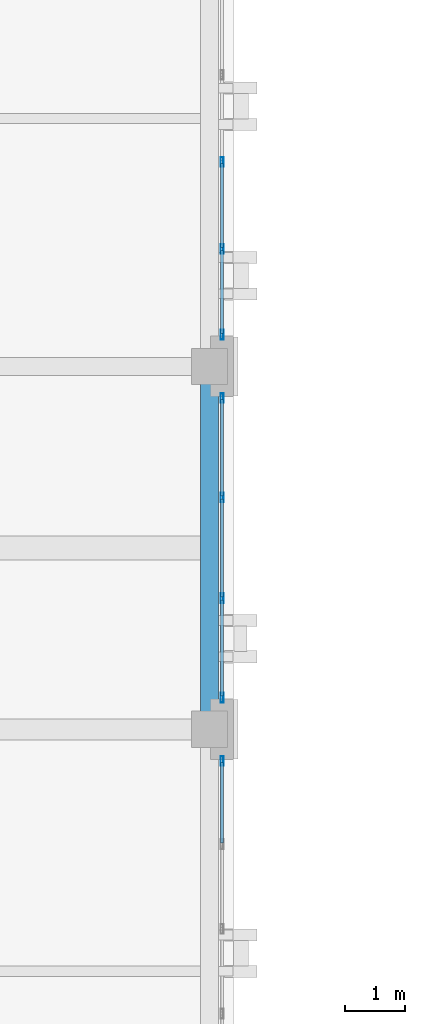
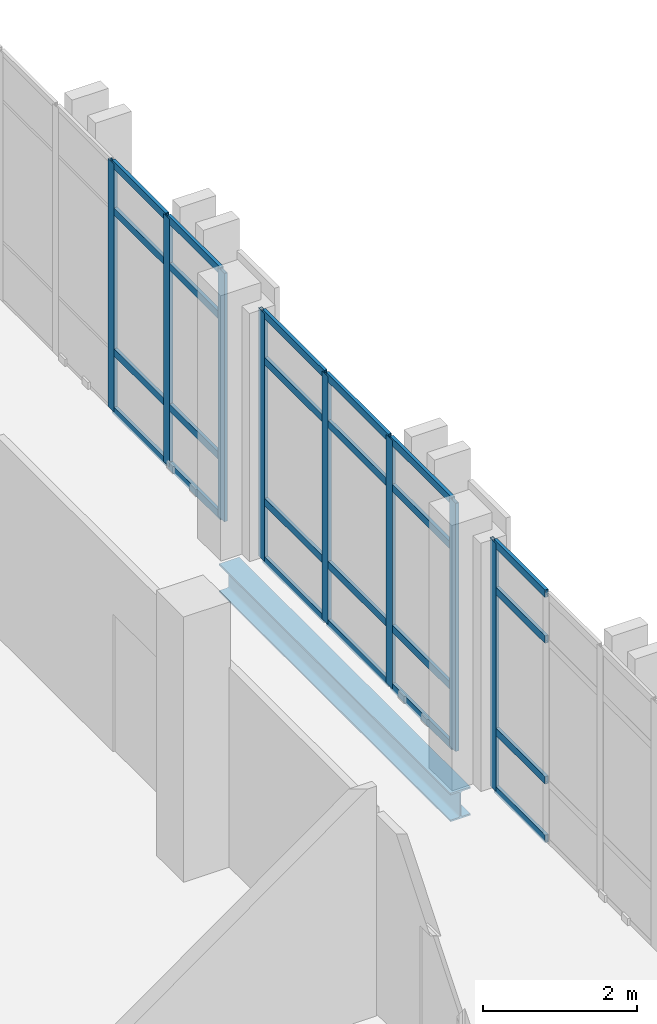
# One storey, part 34 of 90: 32 members, 1 beam, 3 elements without a shape of their own.
"""IFC4 building model written with IfcOpenShell, lengths in metres."""

from ifc_helpers import new_model, si_unit, direction, frame, origin, origin_2d, place, context, subcontext, project, spatial, hollow_rectangle, i_section, extrude, material, layer, layer_set, material_profile, profile_set, type_object, element, aggregate, save


model = new_model("IFC4")

# Units and contexts
model_context = context("Model", 3, precision=1e-05, world=origin(), true_north=direction((0.0, 1.0)))
body_context = subcontext(model_context, "Body", "Model", "MODEL_VIEW")
ifc_project = project(units=[si_unit("LENGTHUNIT", "METRE"), si_unit("AREAUNIT", "SQUARE_METRE"), si_unit("VOLUMEUNIT", "CUBIC_METRE"), si_unit("PLANEANGLEUNIT", "RADIAN"), si_unit("MASSUNIT", "GRAM", prefix="KILO")], contexts=[model_context])

# Site, building, storey
site_placement = place(None, origin())
site = spatial("IfcSite", under=ifc_project, at=site_placement, CompositionType="ELEMENT")
building_placement = place(site_placement, origin())
building = spatial("IfcBuilding", under=site, at=building_placement, Name="Qalavern Law Courts", CompositionType="ELEMENT")
storey_placement = place(building_placement, frame((0.0, 0.0, 22.800048828125)))
storey = spatial("IfcBuildingStorey", under=building, at=storey_placement, Name="L05", CompositionType="ELEMENT", Elevation=22.800048828125)

# Curtain wall, member
ifc_material_1 = material(Name="Anodised aluminium and insulated glazing", Category="aluminium")
ifc_layer = layer(ifc_material_1, 0.159912109375)
ifc_layer_set = layer_set([ifc_layer], Name="Anodised aluminium and insulated glazing")
curtain_wall_type = type_object("IfcCurtainWallType", Name="ENV-CW-CHAMB", PredefinedType="USERDEFINED", material=ifc_layer_set)
curtain_wall_1_placement = place(storey_placement, origin())
curtain_wall_1 = element("IfcCurtainWall", 1, at=curtain_wall_1_placement, inside=storey, type_object=curtain_wall_type, Name="V3 unitised curtain wall L05 east 4", ObjectType="UNITISED CURTAIN WALL", PredefinedType="USERDEFINED")
ifc_material_2 = material(Name="Anodised aluminium", Category="aluminium")
ifc_material_profile_1 = material_profile(ifc_material_2, hollow_rectangle(XDim=0.048095703125, YDim=0.159912109375, WallThickness=0.00390625, at=origin_2d()), Name="ALU MULLION 48x160")
ifc_profile_set_1 = profile_set([ifc_material_profile_1], Name="Anodised aluminium")
member_type_1 = type_object("IfcMemberType", Name="ENV-CWM-48x160", PredefinedType="MULLION", material=ifc_profile_set_1)
member_1_placement = place(storey_placement, frame((18.607421875, 72.8759765625, 0.0), z_axis=(0.0, 0.0, 1.0), x_axis=(-1.0, 0.0, 0.0)))
member_1 = element("IfcMember", 2, at=member_1_placement, type_object=member_type_1, Name="CW-04 mullion 6", PredefinedType="MULLION", context=body_context, shape_type="SweptSolid", body=[
    extrude(hollow_rectangle(XDim=0.048095703125, YDim=0.159912109375, WallThickness=0.00390625, at=origin_2d()), origin(), (0.0, 0.0, 1.0), 3.929931640625),
])

# Curtain wall, members
curtain_wall_2_placement = place(storey_placement, origin())
curtain_wall_2 = element("IfcCurtainWall", 3, at=curtain_wall_2_placement, inside=storey, type_object=curtain_wall_type, Name="V3 unitised curtain wall L05 east 5", ObjectType="UNITISED CURTAIN WALL", PredefinedType="USERDEFINED")
member_2_placement = place(storey_placement, frame((18.607421875, 73.924072265625, 0.0), z_axis=(0.0, 0.0, 1.0), x_axis=(-1.0, 0.0, 0.0)))
member_2 = element("IfcMember", 4, at=member_2_placement, type_object=member_type_1, Name="CW-04 mullion 1", PredefinedType="MULLION", context=body_context, shape_type="SweptSolid", body=[
    extrude(hollow_rectangle(XDim=0.048095703125, YDim=0.159912109375, WallThickness=0.00390625, at=origin_2d()), origin(), (0.0, 0.0, 1.0), 3.929931640625),
])
member_3_placement = place(storey_placement, frame((18.607421875, 75.566650390625, 0.0), z_axis=(0.0, 0.0, 1.0), x_axis=(-1.0, 0.0, 0.0)))
member_3 = element("IfcMember", 5, at=member_3_placement, type_object=member_type_1, Name="CW-04 mullion 2", PredefinedType="MULLION", context=body_context, shape_type="SweptSolid", body=[
    extrude(hollow_rectangle(XDim=0.048095703125, YDim=0.159912109375, WallThickness=0.00390625, at=origin_2d()), origin(), (0.0, 0.0, 1.0), 3.929931640625),
])
member_4_placement = place(storey_placement, frame((18.607421875, 77.2333984375, 0.0), z_axis=(0.0, 0.0, 1.0), x_axis=(-1.0, 0.0, 0.0)))
member_4 = element("IfcMember", 6, at=member_4_placement, type_object=member_type_1, Name="CW-04 mullion 3", PredefinedType="MULLION", context=body_context, shape_type="SweptSolid", body=[
    extrude(hollow_rectangle(XDim=0.048095703125, YDim=0.159912109375, WallThickness=0.00390625, at=origin_2d()), origin(), (0.0, 0.0, 1.0), 3.929931640625),
])
member_5_placement = place(storey_placement, frame((18.607421875, 78.8759765625, 0.0), z_axis=(0.0, 0.0, 1.0), x_axis=(-1.0, 0.0, 0.0)))
member_5 = element("IfcMember", 7, at=member_5_placement, type_object=member_type_1, Name="CW-04 mullion 4", PredefinedType="MULLION", context=body_context, shape_type="SweptSolid", body=[
    extrude(hollow_rectangle(XDim=0.048095703125, YDim=0.159912109375, WallThickness=0.00390625, at=origin_2d()), origin(), (0.0, 0.0, 1.0), 3.929931640625),
])

curtain_wall_3_placement = place(storey_placement, origin())
curtain_wall_3 = element("IfcCurtainWall", 8, at=curtain_wall_3_placement, inside=storey, type_object=curtain_wall_type, Name="V3 unitised curtain wall L05 east 6", ObjectType="UNITISED CURTAIN WALL", PredefinedType="USERDEFINED")
member_6_placement = place(storey_placement, frame((18.607421875, 79.924072265625, 0.0), z_axis=(0.0, 0.0, 1.0), x_axis=(-1.0, 0.0, 0.0)))
member_6 = element("IfcMember", 9, at=member_6_placement, type_object=member_type_1, Name="CW-04 mullion 1", PredefinedType="MULLION", context=body_context, shape_type="SweptSolid", body=[
    extrude(hollow_rectangle(XDim=0.048095703125, YDim=0.159912109375, WallThickness=0.00390625, at=origin_2d()), origin(), (0.0, 0.0, 1.0), 3.929931640625),
])
member_7_placement = place(storey_placement, frame((18.607421875, 81.340087890625, 0.0), z_axis=(0.0, 0.0, 1.0), x_axis=(-1.0, 0.0, 0.0)))
member_7 = element("IfcMember", 10, at=member_7_placement, type_object=member_type_1, Name="CW-04 mullion 2", PredefinedType="MULLION", context=body_context, shape_type="SweptSolid", body=[
    extrude(hollow_rectangle(XDim=0.048095703125, YDim=0.159912109375, WallThickness=0.00390625, at=origin_2d()), origin(), (0.0, 0.0, 1.0), 3.929931640625),
])
member_8_placement = place(storey_placement, frame((18.607421875, 82.780029296875, 0.0), z_axis=(0.0, 0.0, 1.0), x_axis=(-1.0, 0.0, 0.0)))
member_8 = element("IfcMember", 11, at=member_8_placement, type_object=member_type_1, Name="CW-04 mullion 3", PredefinedType="MULLION", context=body_context, shape_type="SweptSolid", body=[
    extrude(hollow_rectangle(XDim=0.048095703125, YDim=0.159912109375, WallThickness=0.00390625, at=origin_2d()), origin(), (0.0, 0.0, 1.0), 3.929931640625),
])

# Member
ifc_material_profile_2 = material_profile(ifc_material_2, hollow_rectangle(XDim=0.048095703125, YDim=0.1201171875, WallThickness=0.00390625, at=origin_2d()), Name="ALU TRANSOM 48x120")
ifc_profile_set_2 = profile_set([ifc_material_profile_2], Name="Anodised aluminium")
member_type_2 = type_object("IfcMemberType", Name="ENV-CWT-48x120", PredefinedType="USERDEFINED", material=ifc_profile_set_2)
member_9_placement = place(storey_placement, frame((18.607421875, 71.52392578125, 0.02392578125), z_axis=(0.0, 1.0, 0.0), x_axis=(-1.0, 0.0, 0.0)))
member_9 = element("IfcMember", 12, at=member_9_placement, type_object=member_type_2, Name="CW-04 transom 5.1", ObjectType="TRANSOM", PredefinedType="USERDEFINED", context=body_context, shape_type="SweptSolid", body=[
    extrude(hollow_rectangle(XDim=0.048095703125, YDim=0.1201171875, WallThickness=0.00390625, at=origin_2d()), origin(), (0.0, 0.0, 1.0), 1.328125),
])

member_10_placement = place(storey_placement, frame((18.607421875, 71.52392578125, 0.949951171875), z_axis=(0.0, 1.0, 0.0), x_axis=(-1.0, 0.0, 0.0)))
member_10 = element("IfcMember", 13, at=member_10_placement, type_object=member_type_2, Name="CW-04 transom 5.2", ObjectType="TRANSOM", PredefinedType="USERDEFINED", context=body_context, shape_type="SweptSolid", body=[
    extrude(hollow_rectangle(XDim=0.048095703125, YDim=0.1201171875, WallThickness=0.00390625, at=origin_2d()), origin(), (0.0, 0.0, 1.0), 1.328125),
])

member_11_placement = place(storey_placement, frame((18.607421875, 71.52392578125, 3.179931640625), z_axis=(0.0, 1.0, 0.0), x_axis=(-1.0, 0.0, 0.0)))
member_11 = element("IfcMember", 14, at=member_11_placement, type_object=member_type_2, Name="CW-04 transom 5.3", ObjectType="TRANSOM", PredefinedType="USERDEFINED", context=body_context, shape_type="SweptSolid", body=[
    extrude(hollow_rectangle(XDim=0.048095703125, YDim=0.1201171875, WallThickness=0.00390625, at=origin_2d()), origin(), (0.0, 0.0, 1.0), 1.328125),
])

member_12_placement = place(storey_placement, frame((18.607421875, 71.52392578125, 3.906005859375), z_axis=(0.0, 1.0, 0.0), x_axis=(-1.0, 0.0, 0.0)))
member_12 = element("IfcMember", 15, at=member_12_placement, type_object=member_type_2, Name="CW-04 transom 5.4", ObjectType="TRANSOM", PredefinedType="USERDEFINED", context=body_context, shape_type="SweptSolid", body=[
    extrude(hollow_rectangle(XDim=0.048095703125, YDim=0.1201171875, WallThickness=0.00390625, at=origin_2d()), origin(), (0.0, 0.0, 1.0), 1.328125),
])

aggregate(curtain_wall_1, [member_1, member_9, member_10, member_11, member_12])

member_13_placement = place(storey_placement, frame((18.607421875, 73.947998046875, 0.02392578125), z_axis=(0.0, 1.0, 0.0), x_axis=(-1.0, 0.0, 0.0)))
member_13 = element("IfcMember", 16, at=member_13_placement, type_object=member_type_2, Name="CW-04 transom 1.1", ObjectType="TRANSOM", PredefinedType="USERDEFINED", context=body_context, shape_type="SweptSolid", body=[
    extrude(hollow_rectangle(XDim=0.048095703125, YDim=0.1201171875, WallThickness=0.00390625, at=origin_2d()), origin(), (0.0, 0.0, 1.0), 1.5947265625),
])

member_14_placement = place(storey_placement, frame((18.607421875, 73.947998046875, 0.949951171875), z_axis=(0.0, 1.0, 0.0), x_axis=(-1.0, 0.0, 0.0)))
member_14 = element("IfcMember", 17, at=member_14_placement, type_object=member_type_2, Name="CW-04 transom 1.2", ObjectType="TRANSOM", PredefinedType="USERDEFINED", context=body_context, shape_type="SweptSolid", body=[
    extrude(hollow_rectangle(XDim=0.048095703125, YDim=0.1201171875, WallThickness=0.00390625, at=origin_2d()), origin(), (0.0, 0.0, 1.0), 1.5947265625),
])

member_15_placement = place(storey_placement, frame((18.607421875, 73.947998046875, 3.179931640625), z_axis=(0.0, 1.0, 0.0), x_axis=(-1.0, 0.0, 0.0)))
member_15 = element("IfcMember", 18, at=member_15_placement, type_object=member_type_2, Name="CW-04 transom 1.3", ObjectType="TRANSOM", PredefinedType="USERDEFINED", context=body_context, shape_type="SweptSolid", body=[
    extrude(hollow_rectangle(XDim=0.048095703125, YDim=0.1201171875, WallThickness=0.00390625, at=origin_2d()), origin(), (0.0, 0.0, 1.0), 1.5947265625),
])

member_16_placement = place(storey_placement, frame((18.607421875, 73.947998046875, 3.906005859375), z_axis=(0.0, 1.0, 0.0), x_axis=(-1.0, 0.0, 0.0)))
member_16 = element("IfcMember", 19, at=member_16_placement, type_object=member_type_2, Name="CW-04 transom 1.4", ObjectType="TRANSOM", PredefinedType="USERDEFINED", context=body_context, shape_type="SweptSolid", body=[
    extrude(hollow_rectangle(XDim=0.048095703125, YDim=0.1201171875, WallThickness=0.00390625, at=origin_2d()), origin(), (0.0, 0.0, 1.0), 1.5947265625),
])

member_17_placement = place(storey_placement, frame((18.607421875, 75.590576171875, 0.02392578125), z_axis=(0.0, 1.0, 0.0), x_axis=(-1.0, 0.0, 0.0)))
member_17 = element("IfcMember", 20, at=member_17_placement, type_object=member_type_2, Name="CW-04 transom 2.1", ObjectType="TRANSOM", PredefinedType="USERDEFINED", context=body_context, shape_type="SweptSolid", body=[
    extrude(hollow_rectangle(XDim=0.048095703125, YDim=0.1201171875, WallThickness=0.00390625, at=origin_2d()), origin(), (0.0, 0.0, 1.0), 1.61865234375),
])

member_18_placement = place(storey_placement, frame((18.607421875, 75.590576171875, 0.949951171875), z_axis=(0.0, 1.0, 0.0), x_axis=(-1.0, 0.0, 0.0)))
member_18 = element("IfcMember", 21, at=member_18_placement, type_object=member_type_2, Name="CW-04 transom 2.2", ObjectType="TRANSOM", PredefinedType="USERDEFINED", context=body_context, shape_type="SweptSolid", body=[
    extrude(hollow_rectangle(XDim=0.048095703125, YDim=0.1201171875, WallThickness=0.00390625, at=origin_2d()), origin(), (0.0, 0.0, 1.0), 1.61865234375),
])

member_19_placement = place(storey_placement, frame((18.607421875, 75.590576171875, 3.179931640625), z_axis=(0.0, 1.0, 0.0), x_axis=(-1.0, 0.0, 0.0)))
member_19 = element("IfcMember", 22, at=member_19_placement, type_object=member_type_2, Name="CW-04 transom 2.3", ObjectType="TRANSOM", PredefinedType="USERDEFINED", context=body_context, shape_type="SweptSolid", body=[
    extrude(hollow_rectangle(XDim=0.048095703125, YDim=0.1201171875, WallThickness=0.00390625, at=origin_2d()), origin(), (0.0, 0.0, 1.0), 1.61865234375),
])

member_20_placement = place(storey_placement, frame((18.607421875, 75.590576171875, 3.906005859375), z_axis=(0.0, 1.0, 0.0), x_axis=(-1.0, 0.0, 0.0)))
member_20 = element("IfcMember", 23, at=member_20_placement, type_object=member_type_2, Name="CW-04 transom 2.4", ObjectType="TRANSOM", PredefinedType="USERDEFINED", context=body_context, shape_type="SweptSolid", body=[
    extrude(hollow_rectangle(XDim=0.048095703125, YDim=0.1201171875, WallThickness=0.00390625, at=origin_2d()), origin(), (0.0, 0.0, 1.0), 1.61865234375),
])

member_21_placement = place(storey_placement, frame((18.607421875, 77.25732421875, 0.02392578125), z_axis=(0.0, 1.0, 0.0), x_axis=(-1.0, 0.0, 0.0)))
member_21 = element("IfcMember", 24, at=member_21_placement, type_object=member_type_2, Name="CW-04 transom 3.1", ObjectType="TRANSOM", PredefinedType="USERDEFINED", context=body_context, shape_type="SweptSolid", body=[
    extrude(hollow_rectangle(XDim=0.048095703125, YDim=0.1201171875, WallThickness=0.00390625, at=origin_2d()), origin(), (0.0, 0.0, 1.0), 1.5947265625),
])

member_22_placement = place(storey_placement, frame((18.607421875, 77.25732421875, 0.949951171875), z_axis=(0.0, 1.0, 0.0), x_axis=(-1.0, 0.0, 0.0)))
member_22 = element("IfcMember", 25, at=member_22_placement, type_object=member_type_2, Name="CW-04 transom 3.2", ObjectType="TRANSOM", PredefinedType="USERDEFINED", context=body_context, shape_type="SweptSolid", body=[
    extrude(hollow_rectangle(XDim=0.048095703125, YDim=0.1201171875, WallThickness=0.00390625, at=origin_2d()), origin(), (0.0, 0.0, 1.0), 1.5947265625),
])

member_23_placement = place(storey_placement, frame((18.607421875, 77.25732421875, 3.179931640625), z_axis=(0.0, 1.0, 0.0), x_axis=(-1.0, 0.0, 0.0)))
member_23 = element("IfcMember", 26, at=member_23_placement, type_object=member_type_2, Name="CW-04 transom 3.3", ObjectType="TRANSOM", PredefinedType="USERDEFINED", context=body_context, shape_type="SweptSolid", body=[
    extrude(hollow_rectangle(XDim=0.048095703125, YDim=0.1201171875, WallThickness=0.00390625, at=origin_2d()), origin(), (0.0, 0.0, 1.0), 1.5947265625),
])

member_24_placement = place(storey_placement, frame((18.607421875, 77.25732421875, 3.906005859375), z_axis=(0.0, 1.0, 0.0), x_axis=(-1.0, 0.0, 0.0)))
member_24 = element("IfcMember", 27, at=member_24_placement, type_object=member_type_2, Name="CW-04 transom 3.4", ObjectType="TRANSOM", PredefinedType="USERDEFINED", context=body_context, shape_type="SweptSolid", body=[
    extrude(hollow_rectangle(XDim=0.048095703125, YDim=0.1201171875, WallThickness=0.00390625, at=origin_2d()), origin(), (0.0, 0.0, 1.0), 1.5947265625),
])

aggregate(curtain_wall_2, [member_2, member_3, member_4, member_5, member_13, member_14, member_15, member_16, member_17, member_18, member_19, member_20, member_21, member_22, member_23, member_24])

member_25_placement = place(storey_placement, frame((18.607421875, 79.947998046875, 0.02392578125), z_axis=(0.0, 1.0, 0.0), x_axis=(-1.0, 0.0, 0.0)))
member_25 = element("IfcMember", 28, at=member_25_placement, type_object=member_type_2, Name="CW-04 transom 1.1", ObjectType="TRANSOM", PredefinedType="USERDEFINED", context=body_context, shape_type="SweptSolid", body=[
    extrude(hollow_rectangle(XDim=0.048095703125, YDim=0.1201171875, WallThickness=0.00390625, at=origin_2d()), origin(), (0.0, 0.0, 1.0), 1.367919921875),
])

member_26_placement = place(storey_placement, frame((18.607421875, 79.947998046875, 0.949951171875), z_axis=(0.0, 1.0, 0.0), x_axis=(-1.0, 0.0, 0.0)))
member_26 = element("IfcMember", 29, at=member_26_placement, type_object=member_type_2, Name="CW-04 transom 1.2", ObjectType="TRANSOM", PredefinedType="USERDEFINED", context=body_context, shape_type="SweptSolid", body=[
    extrude(hollow_rectangle(XDim=0.048095703125, YDim=0.1201171875, WallThickness=0.00390625, at=origin_2d()), origin(), (0.0, 0.0, 1.0), 1.367919921875),
])

member_27_placement = place(storey_placement, frame((18.607421875, 79.947998046875, 3.179931640625), z_axis=(0.0, 1.0, 0.0), x_axis=(-1.0, 0.0, 0.0)))
member_27 = element("IfcMember", 30, at=member_27_placement, type_object=member_type_2, Name="CW-04 transom 1.3", ObjectType="TRANSOM", PredefinedType="USERDEFINED", context=body_context, shape_type="SweptSolid", body=[
    extrude(hollow_rectangle(XDim=0.048095703125, YDim=0.1201171875, WallThickness=0.00390625, at=origin_2d()), origin(), (0.0, 0.0, 1.0), 1.367919921875),
])

member_28_placement = place(storey_placement, frame((18.607421875, 79.947998046875, 3.906005859375), z_axis=(0.0, 1.0, 0.0), x_axis=(-1.0, 0.0, 0.0)))
member_28 = element("IfcMember", 31, at=member_28_placement, type_object=member_type_2, Name="CW-04 transom 1.4", ObjectType="TRANSOM", PredefinedType="USERDEFINED", context=body_context, shape_type="SweptSolid", body=[
    extrude(hollow_rectangle(XDim=0.048095703125, YDim=0.1201171875, WallThickness=0.00390625, at=origin_2d()), origin(), (0.0, 0.0, 1.0), 1.367919921875),
])

member_29_placement = place(storey_placement, frame((18.607421875, 81.364013671875, 0.02392578125), z_axis=(0.0, 1.0, 0.0), x_axis=(-1.0, 0.0, 0.0)))
member_29 = element("IfcMember", 32, at=member_29_placement, type_object=member_type_2, Name="CW-04 transom 2.1", ObjectType="TRANSOM", PredefinedType="USERDEFINED", context=body_context, shape_type="SweptSolid", body=[
    extrude(hollow_rectangle(XDim=0.048095703125, YDim=0.1201171875, WallThickness=0.00390625, at=origin_2d()), origin(), (0.0, 0.0, 1.0), 1.39208984375),
])

member_30_placement = place(storey_placement, frame((18.607421875, 81.364013671875, 0.949951171875), z_axis=(0.0, 1.0, 0.0), x_axis=(-1.0, 0.0, 0.0)))
member_30 = element("IfcMember", 33, at=member_30_placement, type_object=member_type_2, Name="CW-04 transom 2.2", ObjectType="TRANSOM", PredefinedType="USERDEFINED", context=body_context, shape_type="SweptSolid", body=[
    extrude(hollow_rectangle(XDim=0.048095703125, YDim=0.1201171875, WallThickness=0.00390625, at=origin_2d()), origin(), (0.0, 0.0, 1.0), 1.39208984375),
])

member_31_placement = place(storey_placement, frame((18.607421875, 81.364013671875, 3.179931640625), z_axis=(0.0, 1.0, 0.0), x_axis=(-1.0, 0.0, 0.0)))
member_31 = element("IfcMember", 34, at=member_31_placement, type_object=member_type_2, Name="CW-04 transom 2.3", ObjectType="TRANSOM", PredefinedType="USERDEFINED", context=body_context, shape_type="SweptSolid", body=[
    extrude(hollow_rectangle(XDim=0.048095703125, YDim=0.1201171875, WallThickness=0.00390625, at=origin_2d()), origin(), (0.0, 0.0, 1.0), 1.39208984375),
])

member_32_placement = place(storey_placement, frame((18.607421875, 81.364013671875, 3.906005859375), z_axis=(0.0, 1.0, 0.0), x_axis=(-1.0, 0.0, 0.0)))
member_32 = element("IfcMember", 35, at=member_32_placement, type_object=member_type_2, Name="CW-04 transom 2.4", ObjectType="TRANSOM", PredefinedType="USERDEFINED", context=body_context, shape_type="SweptSolid", body=[
    extrude(hollow_rectangle(XDim=0.048095703125, YDim=0.1201171875, WallThickness=0.00390625, at=origin_2d()), origin(), (0.0, 0.0, 1.0), 1.39208984375),
])

aggregate(curtain_wall_3, [member_6, member_7, member_8, member_25, member_26, member_27, member_28, member_29, member_30, member_31, member_32])

# Beam
ifc_material_3 = material(Name="Steel S355", Category="steel")
ifc_material_profile_3 = material_profile(ifc_material_3, i_section(OverallWidth=0.300048828125, OverallDepth=0.449951171875, WebThickness=0.013916015625, FlangeThickness=0.02587890625, FilletRadius=0.027099609375, at=origin_2d()), Name="HEB 450")
ifc_profile_set_3 = profile_set([ifc_material_profile_3], Name="Steel S355")
beam_type = type_object("IfcBeamType", Name="STR-SP-HEB450", PredefinedType="SPANDREL", material=ifc_profile_set_3)
beam_placement = place(storey_placement, frame((18.39990234375, 73.39990234375, -0.5), z_axis=(0.0, 1.0, 0.0), x_axis=(-1.0, 0.0, 0.0)))
element("IfcBeam", 36, at=beam_placement, inside=storey, type_object=beam_type, Name="V3 Y-beam 3-5 L05", PredefinedType="SPANDREL", context=body_context, shape_type="SweptSolid", body=[
    extrude(i_section(OverallWidth=0.300048828125, OverallDepth=0.449951171875, WebThickness=0.013916015625, FlangeThickness=0.02587890625, FilletRadius=0.027099609375, at=origin_2d()), origin(), (0.0, 0.0, 1.0), 6.0),
])

save(model, "model.ifc")
